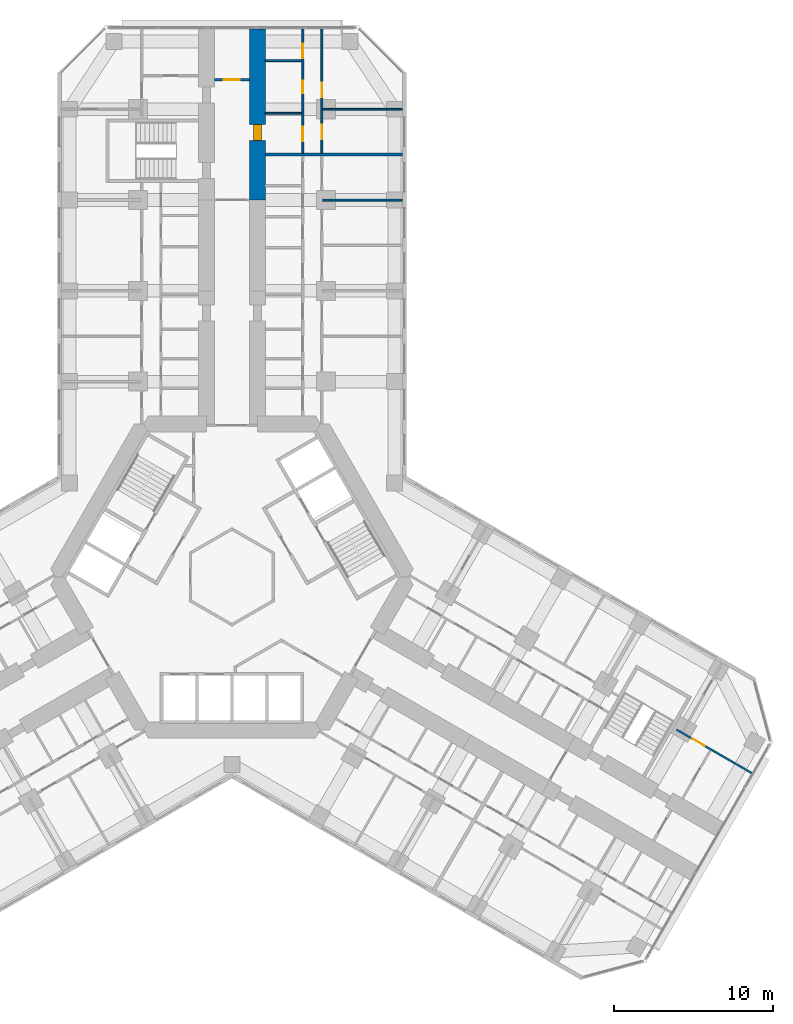
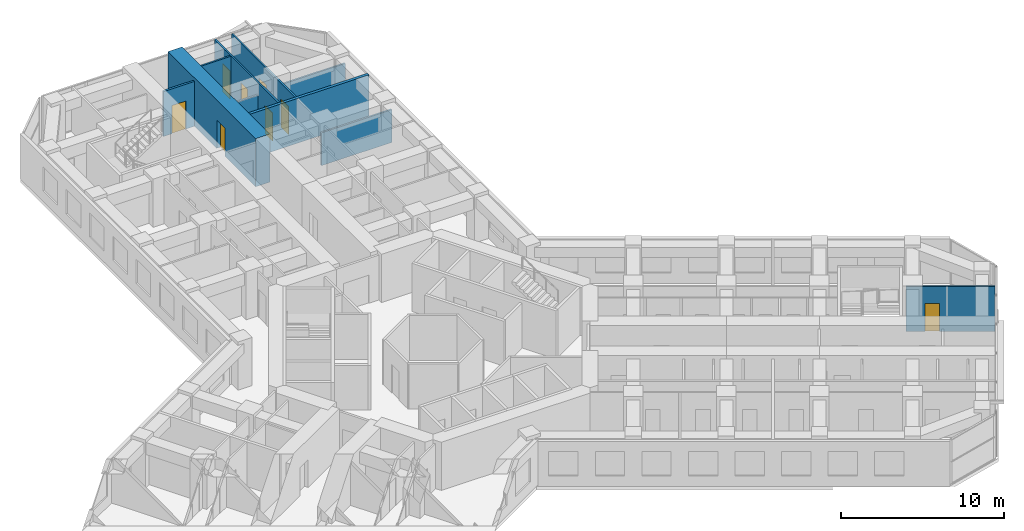
# One storey, part 19 of 21: 10 walls, 8 doors, 8 openings.
"""IFC4 building model written with IfcOpenShell, lengths in metres."""

from ifc_helpers import new_model, si_unit, direction, frame, frame_2d, origin, place, context, subcontext, project, spatial, rectangle, extrude, material, layer, layer_set, type_object, element, fill, save


model = new_model("IFC4")

# Units and contexts
model_context = context("Model", 3, precision=1e-05, world=origin(), true_north=direction((0.0, 1.0)))
body_context = subcontext(model_context, "Body", "Model", "MODEL_VIEW")
ifc_project = project(units=[si_unit("LENGTHUNIT", "METRE"), si_unit("AREAUNIT", "SQUARE_METRE"), si_unit("VOLUMEUNIT", "CUBIC_METRE"), si_unit("PLANEANGLEUNIT", "RADIAN"), si_unit("MASSUNIT", "GRAM", prefix="KILO")], contexts=[model_context])

# Site, building, storey
site_placement = place(None, origin())
site = spatial("IfcSite", under=ifc_project, at=site_placement, CompositionType="ELEMENT")
building_placement = place(site_placement, origin())
building = spatial("IfcBuilding", under=site, at=building_placement, Name="Kosmar Iwan School Tower", CompositionType="ELEMENT")
storey_placement = place(building_placement, frame((0.0, 0.0, 50.199951171875)))
storey = spatial("IfcBuildingStorey", under=building, at=storey_placement, Name="L11", CompositionType="ELEMENT", Elevation=50.199951171875)

# Wall, opening, door
ifc_material_1 = material(Name="Concrete C50/60", Category="concrete")
ifc_layer_1 = layer(ifc_material_1, 1.0)
ifc_layer_set_1 = layer_set([ifc_layer_1], Name="Corridor buttress wall 1000")
wall_type_1 = type_object("IfcWallType", Name="Corridor buttress wall 1000", PredefinedType="SHEAR", material=ifc_layer_set_1)
wall_1_placement = place(storey_placement, frame((1.60009765625, 23.64990234375, 0.0), z_axis=(0.0, 0.0, 1.0), x_axis=(0.0, 1.0, 0.0)))
wall_1 = element("IfcWall", 1, at=wall_1_placement, inside=storey, type_object=wall_type_1, Name="Corridor wall AR bay 3", PredefinedType="SHEAR", context=body_context, shape_type="SweptSolid", body=[
    extrude(rectangle(XDim=10.7451171875, YDim=1.0, at=frame_2d((5.37255859375, 0.0))), origin(), (0.0, 0.0, 1.0), 3.60009765625),
])
opening_1_placement = place(wall_1_placement, frame((3.75, 0.0, 0.0)))
opening_1 = element("IfcOpeningElement", 2, at=opening_1_placement, cuts=wall_1, Name="Opening D1", PredefinedType="OPENING", context=body_context, shape_type="SweptSolid", body=[
    extrude(rectangle(XDim=1.0, YDim=2.10009765625, at=frame_2d((0.5, 1.050048828125))), frame((0.0, 0.511962890625, 0.0), z_axis=(0.0, -1.0, 0.0), x_axis=(1.0, 0.0, 0.0)), (0.0, 0.0, 1.0), 1.02392578125),
])
ifc_material_2 = material(Name="Timber fire door in steel frame", Category="steel")
door_type_1 = type_object("IfcDoorType", Name="Flat entrance door 1000x2100", OperationType="SINGLE_SWING_LEFT", PredefinedType="DOOR", material=ifc_material_2)
door_1_placement = place(opening_1_placement, origin())
door_1 = element("IfcDoor", 3, at=door_1_placement, inside=storey, type_object=door_type_1, Name="Flat L11-AR2 entrance door", OperationType="SINGLE_SWING_RIGHT", OverallHeight=2.10009765625, OverallWidth=1.0, PredefinedType="DOOR", context=body_context, shape_type="SweptSolid", body=[
    extrude(rectangle(XDim=1.0, YDim=2.10009765625, at=frame_2d((0.5, 1.050048828125))), frame((0.0, 0.25, 0.0), z_axis=(0.0, -1.0, 0.0), x_axis=(1.0, 0.0, 0.0)), (0.0, 0.0, 1.0), 0.5),
])
fill(opening_1, door_1)

ifc_material_3 = material(Name="Gypsum board on steel studs, fire-rated", Category="steel")
ifc_layer_2 = layer(ifc_material_3, 0.14990234375)
ifc_layer_set_2 = layer_set([ifc_layer_2], Name="Corridor end wall 150")
wall_type_2 = type_object("IfcWallType", Name="Corridor end wall 150", PredefinedType="PARTITIONING", material=ifc_layer_set_2)
wall_2_placement = place(storey_placement, frame((1.10009765625, 31.199951171875, 0.0), z_axis=(0.0, 0.0, 1.0), x_axis=(-1.0, 0.0, 0.0)))
wall_2 = element("IfcWall", 4, at=wall_2_placement, inside=storey, type_object=wall_type_2, Name="Partition L11-A-CE", PredefinedType="PARTITIONING", context=body_context, shape_type="SweptSolid", body=[
    extrude(rectangle(XDim=2.2001953125, YDim=0.14990234375, at=frame_2d((1.10009765625, 0.0))), origin(), (0.0, 0.0, 1.0), 3.35009765625),
])
opening_2_placement = place(wall_2_placement, frame((0.60009765625, 0.0, 0.0)))
opening_2 = element("IfcOpeningElement", 5, at=opening_2_placement, cuts=wall_2, Name="Opening D13", PredefinedType="OPENING", context=body_context, shape_type="SweptSolid", body=[
    extrude(rectangle(XDim=1.0, YDim=2.10009765625, at=frame_2d((0.5, 1.050048828125))), frame((0.0, 0.0869140625, 0.0), z_axis=(0.0, -1.0, 0.0), x_axis=(1.0, 0.0, 0.0)), (0.0, 0.0, 1.0), 0.173828125),
])
ifc_material_4 = material(Name="Timber fire door with vision panel", Category="wood")
door_type_2 = type_object("IfcDoorType", Name="Corridor end door 1000x2100", OperationType="SINGLE_SWING_LEFT", PredefinedType="DOOR", material=ifc_material_4)
door_2_placement = place(opening_2_placement, origin())
door_2 = element("IfcDoor", 6, at=door_2_placement, inside=storey, type_object=door_type_2, Name="Family study room door L11-A", OperationType="SINGLE_SWING_LEFT", OverallHeight=2.10009765625, OverallWidth=1.0, PredefinedType="DOOR", context=body_context, shape_type="SweptSolid", body=[
    extrude(rectangle(XDim=1.0, YDim=2.10009765625, at=frame_2d((0.5, 1.050048828125))), frame((0.0, 0.02490234375, 0.0), z_axis=(0.0, -1.0, 0.0), x_axis=(1.0, 0.0, 0.0)), (0.0, 0.0, 1.0), 0.050048828125),
])
fill(opening_2, door_2)

# Wall
ifc_material_5 = material(Name="Gypsum board on steel studs", Category="steel")
ifc_layer_3 = layer(ifc_material_5, 0.1201171875)
ifc_layer_set_3 = layer_set([ifc_layer_3], Name="Dwelling partition 120")
wall_type_3 = type_object("IfcWallType", Name="Dwelling partition 120", PredefinedType="PARTITIONING", material=ifc_layer_set_3)
wall_3_placement = place(storey_placement, frame((5.7099609375, 23.64990234375, 0.0), z_axis=(0.0, 0.0, 1.0), x_axis=(1.0, 0.0, 0.0)))
element("IfcWall", 7, at=wall_3_placement, inside=storey, type_object=wall_type_3, Name="Partition L11-AR1-X4", PredefinedType="PARTITIONING", context=body_context, shape_type="SweptSolid", body=[
    extrude(rectangle(XDim=4.989990234375, YDim=0.1201171875, at=frame_2d((2.4951171875, 0.0))), origin(), (0.0, 0.0, 1.0), 2.449951171875),
])

# Wall, openings, doors
wall_4_placement = place(storey_placement, frame((4.449951171875, 26.60009765625, 0.0), z_axis=(0.0, 0.0, 1.0), x_axis=(0.0, 1.0, 0.0)))
wall_4 = element("IfcWall", 8, at=wall_4_placement, inside=storey, type_object=wall_type_3, Name="Partition L11-AR2-W1", PredefinedType="PARTITIONING", context=body_context, shape_type="SweptSolid", body=[
    extrude(rectangle(XDim=7.794921875, YDim=0.1201171875, at=frame_2d((3.8974609375, 0.0))), origin(), (0.0, 0.0, 1.0), 3.35009765625),
])
opening_3_placement = place(wall_4_placement, frame((0.75, 0.0, 0.0)))
opening_3 = element("IfcOpeningElement", 9, at=opening_3_placement, cuts=wall_4, Name="Opening D2", PredefinedType="OPENING", context=body_context, shape_type="SweptSolid", body=[
    extrude(rectangle(XDim=0.89990234375, YDim=2.10009765625, at=frame_2d((0.449951171875, 1.050048828125))), frame((0.0, 0.072021484375, 0.0), z_axis=(0.0, -1.0, 0.0), x_axis=(1.0, 0.0, 0.0)), (0.0, 0.0, 1.0), 0.14404296875),
])
opening_4_placement = place(wall_4_placement, frame((3.75, 0.0, 0.0)))
opening_4 = element("IfcOpeningElement", 10, at=opening_4_placement, cuts=wall_4, Name="Opening D3", PredefinedType="OPENING", context=body_context, shape_type="SweptSolid", body=[
    extrude(rectangle(XDim=0.800048828125, YDim=2.10009765625, at=frame_2d((0.39990234375, 1.050048828125))), frame((0.0, 0.072021484375, 0.0), z_axis=(0.0, -1.0, 0.0), x_axis=(1.0, 0.0, 0.0)), (0.0, 0.0, 1.0), 0.14404296875),
])
opening_5_placement = place(wall_4_placement, frame((5.9599609375, 0.0, 0.0)))
opening_5 = element("IfcOpeningElement", 11, at=opening_5_placement, cuts=wall_4, Name="Opening D2", PredefinedType="OPENING", context=body_context, shape_type="SweptSolid", body=[
    extrude(rectangle(XDim=0.89990234375, YDim=2.10009765625, at=frame_2d((0.449951171875, 1.050048828125))), frame((0.0, 0.072021484375, 0.0), z_axis=(0.0, -1.0, 0.0), x_axis=(1.0, 0.0, 0.0)), (0.0, 0.0, 1.0), 0.14404296875),
])
ifc_material_6 = material(Name="Timber door in timber frame", Category="wood")
door_type_3 = type_object("IfcDoorType", Name="Internal door 900x2100", OperationType="SINGLE_SWING_LEFT", PredefinedType="DOOR", material=ifc_material_6)
door_3_placement = place(opening_3_placement, origin())
door_3 = element("IfcDoor", 12, at=door_3_placement, inside=storey, type_object=door_type_3, Name="Entrance hall door L11-AR2-S1", OperationType="SINGLE_SWING_LEFT", OverallHeight=2.10009765625, OverallWidth=0.89990234375, PredefinedType="DOOR", context=body_context, shape_type="SweptSolid", body=[
    extrude(rectangle(XDim=0.89990234375, YDim=2.10009765625, at=frame_2d((0.449951171875, 1.050048828125))), frame((0.0, 0.02490234375, 0.0), z_axis=(0.0, -1.0, 0.0), x_axis=(1.0, 0.0, 0.0)), (0.0, 0.0, 1.0), 0.050048828125),
])
fill(opening_3, door_3)
door_4_placement = place(opening_5_placement, origin())
door_4 = element("IfcDoor", 13, at=door_4_placement, inside=storey, type_object=door_type_3, Name="Pantry door L11-AR2-S3", OperationType="SINGLE_SWING_LEFT", OverallHeight=2.10009765625, OverallWidth=0.89990234375, PredefinedType="DOOR", context=body_context, shape_type="SweptSolid", body=[
    extrude(rectangle(XDim=0.89990234375, YDim=2.10009765625, at=frame_2d((0.449951171875, 1.050048828125))), frame((0.0, 0.02490234375, 0.0), z_axis=(0.0, -1.0, 0.0), x_axis=(1.0, 0.0, 0.0)), (0.0, 0.0, 1.0), 0.050048828125),
])
fill(opening_5, door_4)
ifc_material_7 = material(Name="Timber door in timber frame", Category="wood")
door_type_4 = type_object("IfcDoorType", Name="Sanitary room door 800x2100", OperationType="SINGLE_SWING_LEFT", PredefinedType="DOOR", material=ifc_material_7)
door_5_placement = place(opening_4_placement, origin())
door_5 = element("IfcDoor", 14, at=door_5_placement, inside=storey, type_object=door_type_4, Name="Bathroom door L11-AR2-S2", OperationType="SINGLE_SWING_RIGHT", OverallHeight=2.10009765625, OverallWidth=0.800048828125, PredefinedType="DOOR", context=body_context, shape_type="SweptSolid", body=[
    extrude(rectangle(XDim=0.800048828125, YDim=2.10009765625, at=frame_2d((0.39990234375, 1.050048828125))), frame((0.0, 0.02490234375, 0.0), z_axis=(0.0, -1.0, 0.0), x_axis=(1.0, 0.0, 0.0)), (0.0, 0.0, 1.0), 0.050048828125),
])
fill(opening_4, door_5)

wall_5_placement = place(storey_placement, frame((5.64990234375, 26.60009765625, 0.0), z_axis=(0.0, 0.0, 1.0), x_axis=(0.0, 1.0, 0.0)))
wall_5 = element("IfcWall", 15, at=wall_5_placement, inside=storey, type_object=wall_type_3, Name="Partition L11-AR2-W2", PredefinedType="PARTITIONING", context=body_context, shape_type="SweptSolid", body=[
    extrude(rectangle(XDim=7.794921875, YDim=0.1201171875, at=frame_2d((3.8974609375, 0.0))), origin(), (0.0, 0.0, 1.0), 3.35009765625),
])
opening_6_placement = place(wall_5_placement, frame((0.875, 0.0, 0.0)))
opening_6 = element("IfcOpeningElement", 16, at=opening_6_placement, cuts=wall_5, Name="Opening D2", PredefinedType="OPENING", context=body_context, shape_type="SweptSolid", body=[
    extrude(rectangle(XDim=0.89990234375, YDim=2.10009765625, at=frame_2d((0.449951171875, 1.050048828125))), frame((0.0, 0.072021484375, 0.0), z_axis=(0.0, -1.0, 0.0), x_axis=(1.0, 0.0, 0.0)), (0.0, 0.0, 1.0), 0.14404296875),
])
opening_7_placement = place(wall_5_placement, frame((3.5, 0.0, 0.0)))
opening_7 = element("IfcOpeningElement", 17, at=opening_7_placement, cuts=wall_5, Name="Opening D2", PredefinedType="OPENING", context=body_context, shape_type="SweptSolid", body=[
    extrude(rectangle(XDim=0.89990234375, YDim=2.10009765625, at=frame_2d((0.449951171875, 1.050048828125))), frame((0.0, 0.072021484375, 0.0), z_axis=(0.0, -1.0, 0.0), x_axis=(1.0, 0.0, 0.0)), (0.0, 0.0, 1.0), 0.14404296875),
])
door_6_placement = place(opening_6_placement, origin())
door_6 = element("IfcDoor", 18, at=door_6_placement, inside=storey, type_object=door_type_3, Name="Bedroom 1 door L11-AR2-F1", OperationType="SINGLE_SWING_LEFT", OverallHeight=2.10009765625, OverallWidth=0.89990234375, PredefinedType="DOOR", context=body_context, shape_type="SweptSolid", body=[
    extrude(rectangle(XDim=0.89990234375, YDim=2.10009765625, at=frame_2d((0.449951171875, 1.050048828125))), frame((0.0, 0.02490234375, 0.0), z_axis=(0.0, -1.0, 0.0), x_axis=(1.0, 0.0, 0.0)), (0.0, 0.0, 1.0), 0.050048828125),
])
fill(opening_6, door_6)
door_7_placement = place(opening_7_placement, origin())
door_7 = element("IfcDoor", 19, at=door_7_placement, inside=storey, type_object=door_type_3, Name="Living room and kitchen door L11-AR2-F2", OperationType="SINGLE_SWING_RIGHT", OverallHeight=2.10009765625, OverallWidth=0.89990234375, PredefinedType="DOOR", context=body_context, shape_type="SweptSolid", body=[
    extrude(rectangle(XDim=0.89990234375, YDim=2.10009765625, at=frame_2d((0.449951171875, 1.050048828125))), frame((0.0, 0.02490234375, 0.0), z_axis=(0.0, -1.0, 0.0), x_axis=(1.0, 0.0, 0.0)), (0.0, 0.0, 1.0), 0.050048828125),
])
fill(opening_7, door_7)

# Walls
wall_6_placement = place(storey_placement, frame((5.7099609375, 29.35009765625, 0.0), z_axis=(0.0, 0.0, 1.0), x_axis=(1.0, 0.0, 0.0)))
element("IfcWall", 20, at=wall_6_placement, inside=storey, type_object=wall_type_3, Name="Partition L11-AR2-X1", PredefinedType="PARTITIONING", context=body_context, shape_type="SweptSolid", body=[
    extrude(rectangle(XDim=4.989990234375, YDim=0.1201171875, at=frame_2d((2.4951171875, 0.0))), origin(), (0.0, 0.0, 1.0), 2.449951171875),
])
wall_7_placement = place(storey_placement, frame((2.10009765625, 29.10009765625, 0.0), z_axis=(0.0, 0.0, 1.0), x_axis=(1.0, 0.0, 0.0)))
element("IfcWall", 21, at=wall_7_placement, inside=storey, type_object=wall_type_3, Name="Partition L11-AR2-Y1", PredefinedType="PARTITIONING", context=body_context, shape_type="SweptSolid", body=[
    extrude(rectangle(XDim=2.289794921875, YDim=0.1201171875, at=frame_2d((1.14501953125, 0.0))), origin(), (0.0, 0.0, 1.0), 2.449951171875),
])
wall_8_placement = place(storey_placement, frame((2.10009765625, 32.39990234375, 0.0), z_axis=(0.0, 0.0, 1.0), x_axis=(1.0, 0.0, 0.0)))
element("IfcWall", 22, at=wall_8_placement, inside=storey, type_object=wall_type_3, Name="Partition L11-AR2-Y2", PredefinedType="PARTITIONING", context=body_context, shape_type="SweptSolid", body=[
    extrude(rectangle(XDim=2.289794921875, YDim=0.1201171875, at=frame_2d((1.14501953125, 0.0))), origin(), (0.0, 0.0, 1.0), 3.35009765625),
])

# Wall, opening, door
wall_9_placement = place(storey_placement, frame((27.896484375, -9.58203125, 0.0), z_axis=(0.0, 0.0, 1.0), x_axis=(0.866035508231, -0.499982498177, 0.0)))
wall_9 = element("IfcWall", 23, at=wall_9_placement, inside=storey, type_object=wall_type_3, Name="Partition L11-CL2-TW", PredefinedType="PARTITIONING", context=body_context, shape_type="SweptSolid", body=[
    extrude(rectangle(XDim=5.445068359375, YDim=0.1201171875, at=frame_2d((2.72265625, 0.0))), origin(), (0.0, 0.0, 1.0), 3.35009765625),
])
opening_8_placement = place(wall_9_placement, frame((1.14990234375, 0.0, 0.0)))
opening_8 = element("IfcOpeningElement", 24, at=opening_8_placement, cuts=wall_9, Name="Opening D2", PredefinedType="OPENING", context=body_context, shape_type="SweptSolid", body=[
    extrude(rectangle(XDim=0.89990234375, YDim=2.10009765625, at=frame_2d((0.449951171875, 1.050048828125))), frame((0.0, 0.072021484375, 0.0), z_axis=(0.0, -1.0, 0.0), x_axis=(1.0, 0.0, 0.0)), (0.0, 0.0, 1.0), 0.14404296875),
])
door_8_placement = place(opening_8_placement, origin())
door_8 = element("IfcDoor", 25, at=door_8_placement, inside=storey, type_object=door_type_3, Name="Entrance hall door L11-CL2-T3", OperationType="SINGLE_SWING_LEFT", OverallHeight=2.10009765625, OverallWidth=0.89990234375, PredefinedType="DOOR", context=body_context, shape_type="SweptSolid", body=[
    extrude(rectangle(XDim=0.89990234375, YDim=2.10009765625, at=frame_2d((0.449951171875, 1.050048828125))), frame((0.0, 0.02490234375, 0.0), z_axis=(0.0, -1.0, 0.0), x_axis=(1.0, 0.0, 0.0)), (0.0, 0.0, 1.0), 0.050048828125),
])
fill(opening_8, door_8)

# Wall
ifc_material_8 = material(Name="Concrete block masonry", Category="masonry")
ifc_layer_4 = layer(ifc_material_8, 0.199951171875)
ifc_layer_set_4 = layer_set([ifc_layer_4], Name="Party wall 200")
wall_type_4 = type_object("IfcWallType", Name="Party wall 200", PredefinedType="PARTITIONING", material=ifc_layer_set_4)
wall_10_placement = place(storey_placement, frame((2.10009765625, 26.5, 0.0), z_axis=(0.0, 0.0, 1.0), x_axis=(1.0, 0.0, 0.0)))
element("IfcWall", 26, at=wall_10_placement, inside=storey, type_object=wall_type_4, Name="Partition L11-AR2-PW", PredefinedType="PARTITIONING", context=body_context, shape_type="SweptSolid", body=[
    extrude(rectangle(XDim=8.599853515625, YDim=0.199951171875, at=frame_2d((4.2998046875, 0.0))), origin(), (0.0, 0.0, 1.0), 3.35009765625),
])

save(model, "model.ifc")
